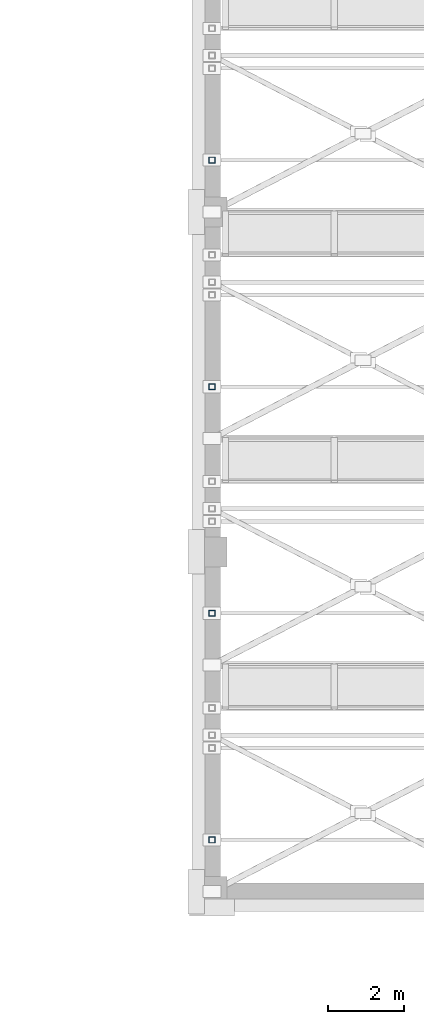
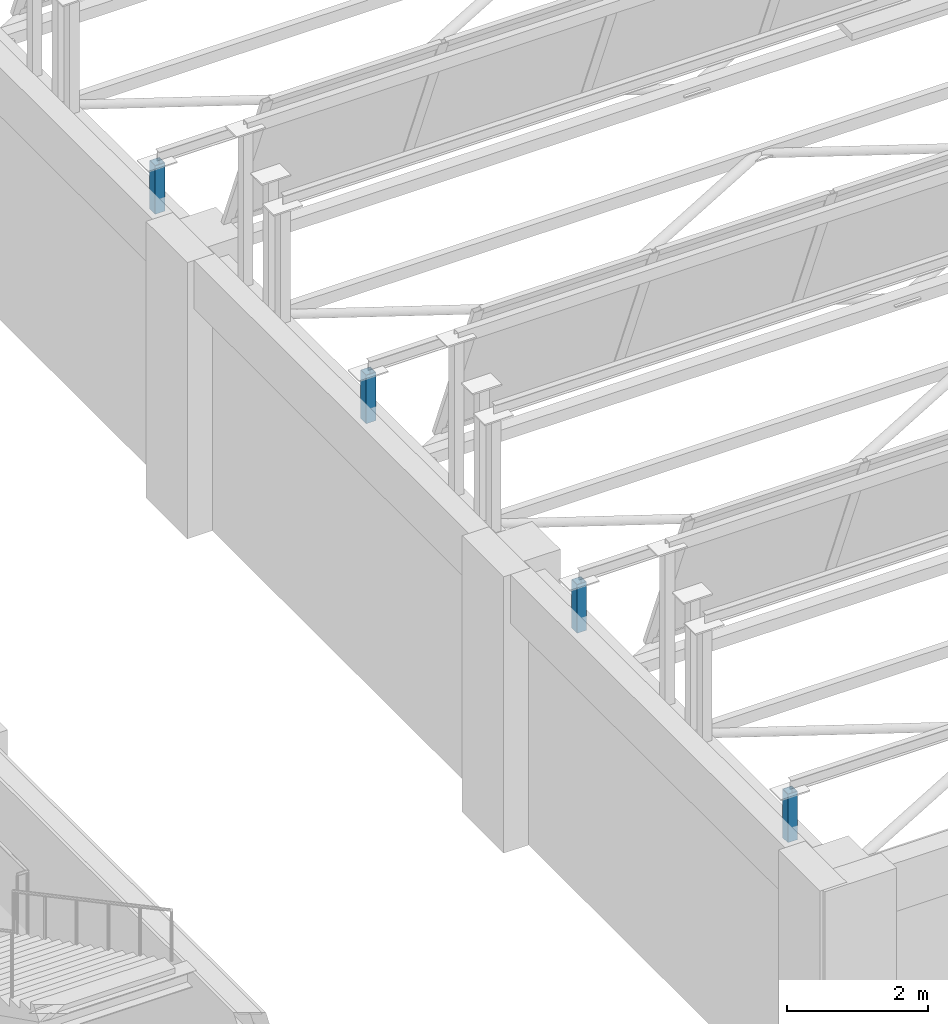
# One storey, part 63 of 98: 4 members.
"""IFC4 building model written with IfcOpenShell, lengths in metres."""

from ifc_helpers import new_model, si_unit, direction, frame, origin, origin_2d, place, context, subcontext, project, spatial, hollow_rectangle, extrude, material, material_profile, profile_set, type_object, element, save


model = new_model("IFC4")

# Units and contexts
model_context = context("Model", 3, precision=1e-05, world=origin(), true_north=direction((0.0, 1.0)))
body_context = subcontext(model_context, "Body", "Model", "MODEL_VIEW")
ifc_project = project(units=[si_unit("LENGTHUNIT", "METRE"), si_unit("AREAUNIT", "SQUARE_METRE"), si_unit("VOLUMEUNIT", "CUBIC_METRE"), si_unit("PLANEANGLEUNIT", "RADIAN"), si_unit("MASSUNIT", "GRAM", prefix="KILO")], contexts=[model_context])

# Site, building, storey
site_placement = place(None, origin())
site = spatial("IfcSite", under=ifc_project, at=site_placement, CompositionType="ELEMENT")
building_placement = place(site_placement, origin())
building = spatial("IfcBuilding", under=site, at=building_placement, Name="Lykobir Media Centre", CompositionType="ELEMENT")
storey_placement = place(building_placement, frame((0.0, 0.0, 10.199951171875)))
storey = spatial("IfcBuildingStorey", under=building, at=storey_placement, Name="L02", CompositionType="ELEMENT", Elevation=10.199951171875)

# Members
ifc_material = material(Name="Steel S355", Category="steel")
ifc_material_profile = material_profile(ifc_material, hollow_rectangle(XDim=0.159912109375, YDim=0.159912109375, WallThickness=0.008056640625, at=origin_2d()), Name="SHS 160x160x8")
ifc_profile_set = profile_set([ifc_material_profile], Name="Steel S355")
member_type = type_object("IfcMemberType", Name="BR-SHS160", PredefinedType="BRACE", material=ifc_profile_set)
for number, where, z_axis, x_axis, name in (
    (1, (144.0, 73.373291015625, 4.300048828125), (0.0, 0.0, 1.0), (1.0, 0.0, 0.0), "Diagonal brace MEM2-L02-1440-0734-0145-1440-0734-0297"),
    (2, (144.0, 79.373291015625, 4.300048828125), (0.0, 0.0, 1.0), (1.0, 0.0, 0.0), "Diagonal brace MEM2-L02-1440-0794-0145-1440-0794-0317"),
    (3, (144.0, 85.373291015625, 4.300048828125), (0.0, 0.0, 1.0), (1.0, 0.0, 0.0), "Diagonal brace MEM2-L02-1440-0854-0145-1440-0854-0337"),
    (4, (144.0, 91.373291015625, 4.300048828125), (0.0, 0.0, 1.0), (1.0, 0.0, 0.0), "Diagonal brace MEM2-L02-1440-0914-0145-1440-0914-0357"),
):
    element("IfcMember", number, at=place(storey_placement, frame(where, z_axis=z_axis, x_axis=x_axis)), inside=storey, type_object=member_type, Name=name, PredefinedType="BRACE", context=body_context, shape_type="SweptSolid", body=[
        extrude(hollow_rectangle(XDim=0.159912109375, YDim=0.159912109375, WallThickness=0.008056640625, at=origin_2d()), origin(), (0.0, 0.0, 1.0), 0.84033203125),
    ])

save(model, "model.ifc")
